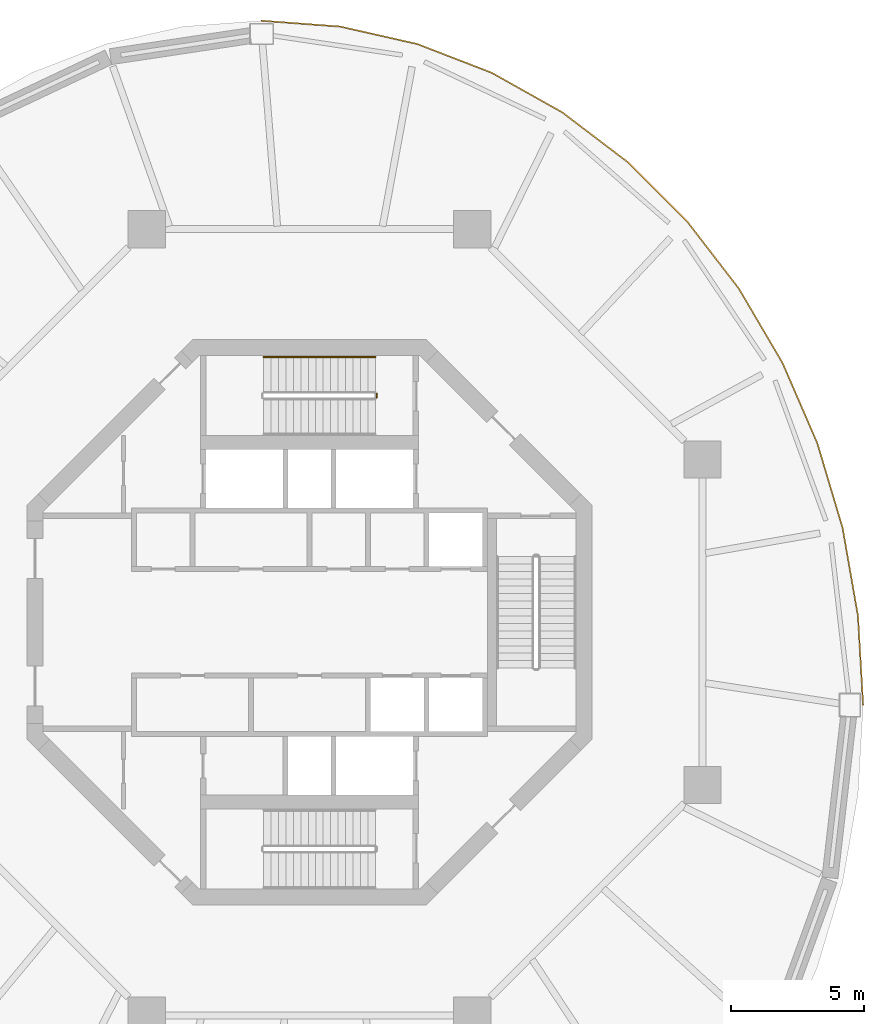
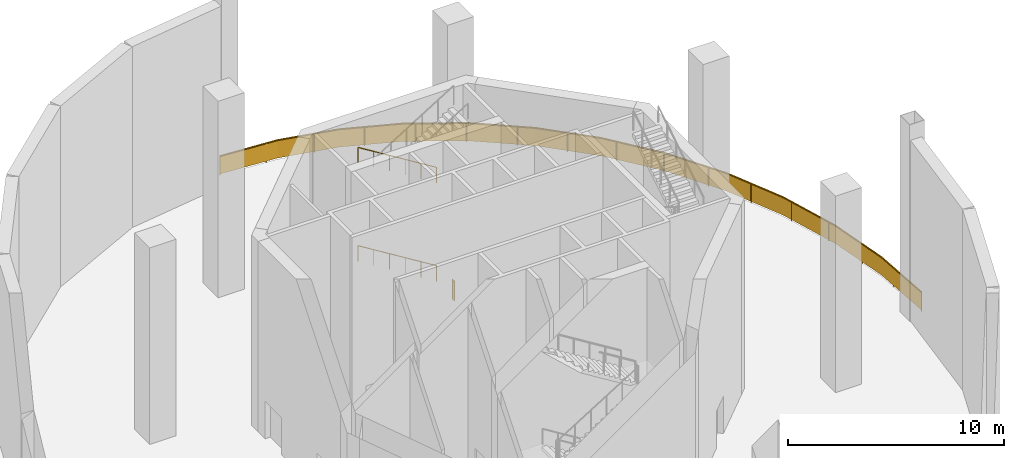
# One storey, part 7 of 7: 4 railings.
"""IFC4 building model written with IfcOpenShell, lengths in metres."""

from ifc_helpers import new_model, si_unit, direction, frame, origin, origin_2d, place, context, subcontext, project, spatial, polyline, rectangle, circle, outline, extrude, material, type_object, element, save


model = new_model("IFC4")

# Units and contexts
model_context = context("Model", 3, precision=1e-05, world=origin(), true_north=direction((0.0, 1.0)))
body_context = subcontext(model_context, "Body", "Model", "MODEL_VIEW")
ifc_project = project(units=[si_unit("LENGTHUNIT", "METRE"), si_unit("AREAUNIT", "SQUARE_METRE"), si_unit("VOLUMEUNIT", "CUBIC_METRE"), si_unit("PLANEANGLEUNIT", "RADIAN"), si_unit("MASSUNIT", "GRAM", prefix="KILO")], contexts=[model_context])

# Site, building, storey
site_placement = place(None, origin())
site = spatial("IfcSite", under=ifc_project, at=site_placement, CompositionType="ELEMENT")
building_placement = place(site_placement, origin())
building = spatial("IfcBuilding", under=site, at=building_placement, Name="Nagisa Residences", CompositionType="ELEMENT")
storey_placement = place(building_placement, frame((0.0, 0.0, 299.199951171875)))
storey = spatial("IfcBuildingStorey", under=building, at=storey_placement, Name="L76", CompositionType="ELEMENT", Elevation=299.199951171875)

# Railings
ifc_material_1 = material(Name="Stainless steel 316", Category="steel")
railing_type_1 = type_object("IfcRailingType", Name="ROOF GUARD 1100", PredefinedType="GUARDRAIL", material=ifc_material_1)
railing_1_placement = place(storey_placement, frame((20.820068359375, -3.11767578125, 0.0)))
element("IfcRailing", 1, at=railing_1_placement, inside=storey, type_object=railing_type_1, Name="guard:L76:deck00", PredefinedType="GUARDRAIL", context=body_context, shape_type="SweptSolid", body=[
    extrude(outline(polyline([(-0.218505859375, 3.356689453125), (-0.02490234375, -0.00146484375), (0.02490234375, 0.00146484375), (-0.168701171875, 3.362548828125), (-0.746337890625, 6.667724609375), (-1.698486328125, 9.85888671875), (-3.008056640625, 12.88134765625), (-4.653564453125, 15.683349609375), (-6.6064453125, 18.217529296875), (-8.833251953125, 20.439697265625), (-11.29638671875, 22.3125), (-13.953125, 23.803466796875), (-16.75830078125, 24.886962890625), (-19.663818359375, 25.544677734375), (-22.6181640625, 25.764892578125), (-22.6220703125, 25.715087890625), (-19.671142578125, 25.494873046875), (-16.77294921875, 24.839111328125), (-13.974609375, 23.758056640625), (-11.32373046875, 22.2705078125), (-8.866455078125, 20.402099609375), (-6.64404296875, 18.184326171875), (-4.695068359375, 15.655517578125), (-3.052978515625, 12.8583984375), (-1.745361328125, 9.841796875), (-0.795166015625, 6.656005859375), (-0.218505859375, 3.356689453125)])), frame((0.0, 0.0, 1.050048828125)), (0.0, 0.0, 1.0), 0.050048828125),
    extrude(outline(polyline([(-0.20068359375, 3.35888671875), (-0.007080078125, -0.00048828125), (0.007080078125, 0.00048828125), (-0.1865234375, 3.3603515625), (-0.763916015625, 6.66357421875), (-1.71533203125, 9.852783203125), (-3.024169921875, 12.873046875), (-4.66845703125, 15.67333984375), (-6.619873046875, 18.20556640625), (-8.84521484375, 20.42626953125), (-11.30615234375, 22.29736328125), (-13.9609375, 23.787109375), (-16.763671875, 24.869873046875), (-19.66650390625, 25.526611328125), (-22.61962890625, 25.7470703125), (-22.62060546875, 25.73291015625), (-19.66845703125, 25.512939453125), (-16.767578125, 24.856201171875), (-13.966796875, 23.7744140625), (-11.31396484375, 22.28564453125), (-8.8544921875, 20.41552734375), (-6.630615234375, 18.1962890625), (-4.68017578125, 15.66552734375), (-3.036865234375, 12.86669921875), (-1.728515625, 9.847900390625), (-0.777587890625, 6.66015625), (-0.20068359375, 3.35888671875)])), frame((0.0, 0.0, 0.06005859375)), (0.0, 0.0, 1.0), 0.989990234375),
    extrude(rectangle(XDim=0.0400390625, YDim=0.0400390625, at=origin_2d()), origin(), (0.0, 0.0, 1.0), 1.050048828125),
    extrude(rectangle(XDim=0.0400390625, YDim=0.0400390625, at=origin_2d()), frame((-0.13671875, 2.37060546875, 0.0)), (0.0, 0.0, 1.0), 1.050048828125),
    extrude(rectangle(XDim=0.0400390625, YDim=0.0400390625, at=origin_2d()), frame((-0.431884765625, 4.72314453125, 0.0)), (0.0, 0.0, 1.0), 1.050048828125),
    extrude(rectangle(XDim=0.0400390625, YDim=0.0400390625, at=origin_2d()), frame((-0.886962890625, 7.05126953125, 0.0)), (0.0, 0.0, 1.0), 1.050048828125),
    extrude(rectangle(XDim=0.0400390625, YDim=0.0400390625, at=origin_2d()), frame((-1.565673828125, 9.326904296875, 0.0)), (0.0, 0.0, 1.0), 1.050048828125),
    extrude(rectangle(XDim=0.0400390625, YDim=0.0400390625, at=origin_2d()), frame((-2.448974609375, 11.528076171875, 0.0)), (0.0, 0.0, 1.0), 1.050048828125),
    extrude(rectangle(XDim=0.0400390625, YDim=0.0400390625, at=origin_2d()), frame((-3.492431640625, 13.656494140625, 0.0)), (0.0, 0.0, 1.0), 1.050048828125),
    extrude(rectangle(XDim=0.0400390625, YDim=0.0400390625, at=origin_2d()), frame((-4.698974609375, 15.701416015625, 0.0)), (0.0, 0.0, 1.0), 1.050048828125),
    extrude(rectangle(XDim=0.0400390625, YDim=0.0400390625, at=origin_2d()), frame((-6.1484375, 17.582275390625, 0.0)), (0.0, 0.0, 1.0), 1.050048828125),
    extrude(rectangle(XDim=0.0400390625, YDim=0.0400390625, at=origin_2d()), frame((-7.753173828125, 19.32666015625, 0.0)), (0.0, 0.0, 1.0), 1.050048828125),
    extrude(rectangle(XDim=0.0400390625, YDim=0.0400390625, at=origin_2d()), frame((-9.5068359375, 20.92041015625, 0.0)), (0.0, 0.0, 1.0), 1.050048828125),
    extrude(rectangle(XDim=0.0400390625, YDim=0.0400390625, at=origin_2d()), frame((-11.405517578125, 22.344970703125, 0.0)), (0.0, 0.0, 1.0), 1.050048828125),
    extrude(rectangle(XDim=0.0400390625, YDim=0.0400390625, at=origin_2d()), frame((-13.476318359375, 23.50732421875, 0.0)), (0.0, 0.0, 1.0), 1.050048828125),
    extrude(rectangle(XDim=0.0400390625, YDim=0.0400390625, at=origin_2d()), frame((-15.657470703125, 24.43505859375, 0.0)), (0.0, 0.0, 1.0), 1.050048828125),
    extrude(rectangle(XDim=0.0400390625, YDim=0.0400390625, at=origin_2d()), frame((-17.923095703125, 25.125, 0.0)), (0.0, 0.0, 1.0), 1.050048828125),
    extrude(rectangle(XDim=0.0400390625, YDim=0.0400390625, at=origin_2d()), frame((-20.251953125, 25.5634765625, 0.0)), (0.0, 0.0, 1.0), 1.050048828125),
    extrude(rectangle(XDim=0.0400390625, YDim=0.0400390625, at=origin_2d()), frame((-22.6201171875, 25.739990234375, 0.0)), (0.0, 0.0, 1.0), 1.050048828125),
])
ifc_material_2 = material(Name="Stainless steel", Category="steel")
railing_type_2 = type_object("IfcRailingType", Name="Stair guard 1100", PredefinedType="GUARDRAIL", material=ifc_material_2)
railing_2_placement = place(storey_placement, frame((2.52490234375, 8.599609375, 0.0)))
element("IfcRailing", 2, at=railing_2_placement, inside=storey, type_object=railing_type_2, Name="L76 ST-N stair guard 8", PredefinedType="GUARDRAIL", context=body_context, shape_type="SweptSolid", body=[
    extrude(circle(Radius=0.02392578125, at=origin_2d()), frame((0.0, 0.0, 1.076171875), z_axis=(0.0, -1.0, 0.0), x_axis=(1.0, 0.0, 0.0)), (0.0, 0.0, 1.0), 0.14990234375),
    extrude(circle(Radius=0.02099609375, at=origin_2d()), origin(), (0.0, 0.0, 1.0), 1.052001953125),
    extrude(circle(Radius=0.02099609375, at=origin_2d()), frame((0.0, -0.14990234375, 0.0)), (0.0, 0.0, 1.0), 1.052001953125),
])
ifc_material_3 = material(Name="Stainless steel", Category="steel")
railing_type_3 = type_object("IfcRailingType", Name="Stair handrail 900", PredefinedType="HANDRAIL", material=ifc_material_3)
for number, where, name in (
    (3, (2.47509765625, 9.974609375, 0.173583984375), "L76 ST-N stair handrail 1"),
    (4, (2.47509765625, 9.974609375, 5.723388671875), "L76 ST-N stair handrail 3"),
):
    element("IfcRailing", number, at=place(storey_placement, frame(where)), inside=storey, type_object=railing_type_3, Name=name, PredefinedType="HANDRAIL", context=body_context, shape_type="SweptSolid", body=[
        extrude(circle(Radius=0.02392578125, at=origin_2d()), frame((0.0, 0.0, 0.8759765625), z_axis=(-0.85013453548, 0.0, 0.526565543483), x_axis=(0.0, -1.0, 0.0)), (0.0, 0.0, 1.0), 4.940673828125),
        extrude(circle(Radius=0.02099609375, at=origin_2d()), origin(), (0.0, 0.0, 1.0), 0.851806640625),
        extrude(circle(Radius=0.02099609375, at=origin_2d()), frame((-0.840087890625, 0.0, 0.520263671875)), (0.0, 0.0, 1.0), 0.851806640625),
        extrude(circle(Radius=0.02099609375, at=origin_2d()), frame((-1.68017578125, 0.0, 1.04052734375)), (0.0, 0.0, 1.0), 0.851806640625),
        extrude(circle(Radius=0.02099609375, at=origin_2d()), frame((-2.52001953125, 0.0, 1.56103515625)), (0.0, 0.0, 1.0), 0.851806640625),
        extrude(circle(Radius=0.02099609375, at=origin_2d()), frame((-3.360107421875, 0.0, 2.081298828125)), (0.0, 0.0, 1.0), 0.851806640625),
        extrude(circle(Radius=0.02099609375, at=origin_2d()), frame((-4.2001953125, 0.0, 2.6015625)), (0.0, 0.0, 1.0), 0.851806640625),
    ])

save(model, "model.ifc")
